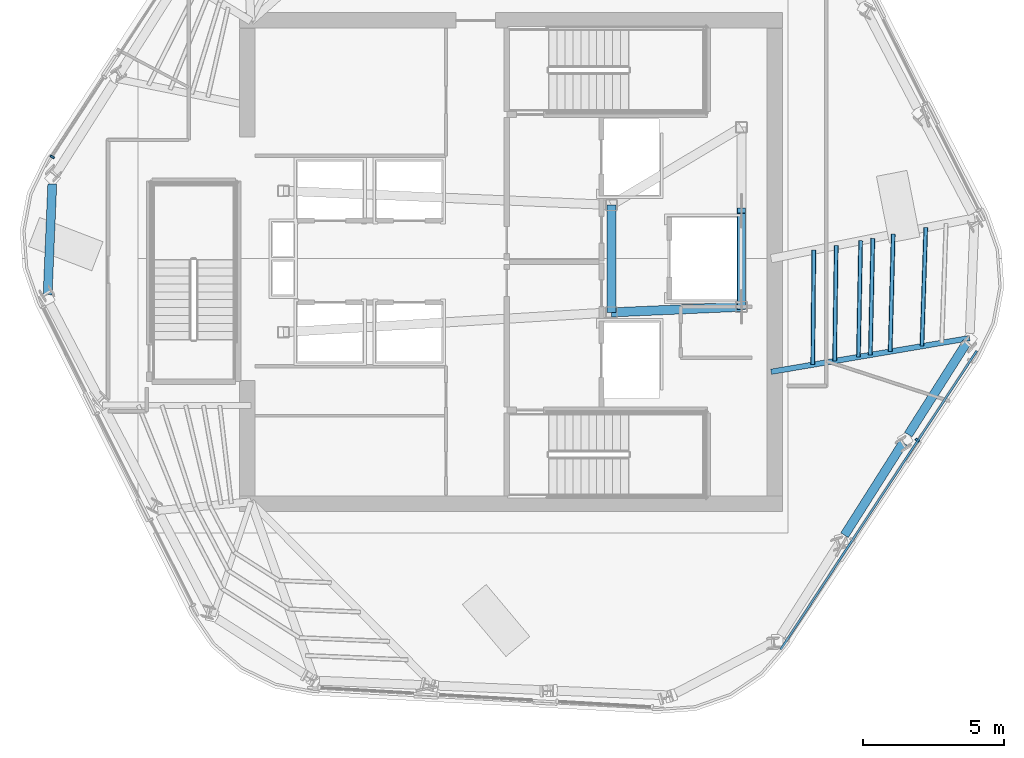
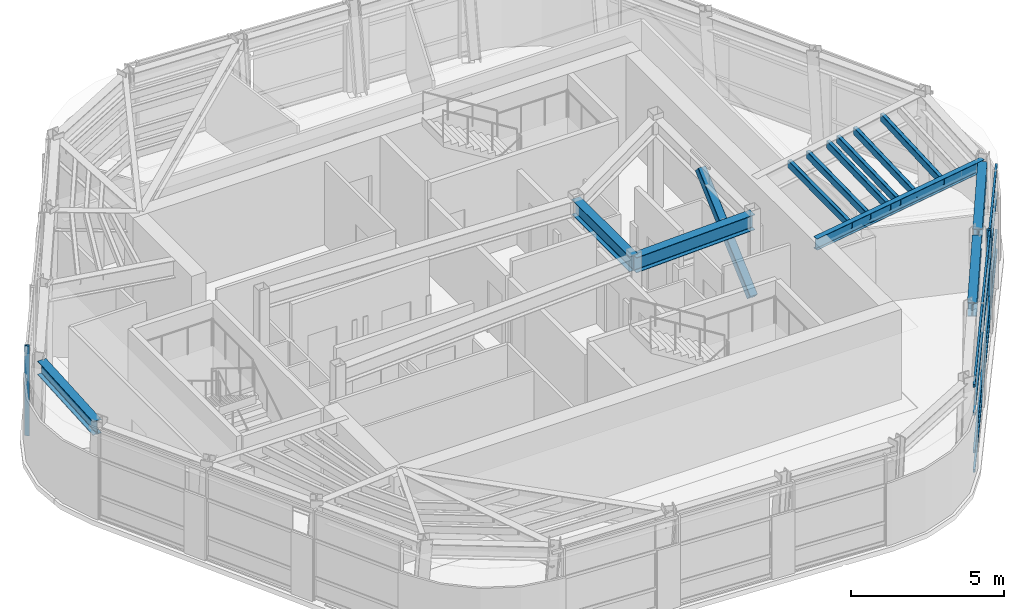
# One storey, part 3 of 13: 13 members, 6 beams, 2 elements without a shape of their own.
"""IFC4 building model written with IfcOpenShell, lengths in metres."""

from ifc_helpers import new_model, si_unit, direction, frame, origin, origin_2d, place, context, subcontext, project, spatial, rectangle, hollow_rectangle, i_section, extrude, material, layer, layer_set, material_profile, profile_set, type_object, element, aggregate, save


model = new_model("IFC4")

# Units and contexts
model_context = context("Model", 3, precision=1e-05, world=origin(), true_north=direction((0.0, 1.0)))
body_context = subcontext(model_context, "Body", "Model", "MODEL_VIEW")
ifc_project = project(units=[si_unit("LENGTHUNIT", "METRE"), si_unit("AREAUNIT", "SQUARE_METRE"), si_unit("VOLUMEUNIT", "CUBIC_METRE"), si_unit("PLANEANGLEUNIT", "RADIAN"), si_unit("MASSUNIT", "GRAM", prefix="KILO")], contexts=[model_context])

# Site, building, storey
site_placement = place(None, origin())
site = spatial("IfcSite", under=ifc_project, at=site_placement, CompositionType="ELEMENT")
building_placement = place(site_placement, origin())
building = spatial("IfcBuilding", under=site, at=building_placement, Name="Valkerne Bourse Tower", CompositionType="ELEMENT")
storey_placement = place(building_placement, frame((0.0, 0.0, 269.800048828125)))
storey = spatial("IfcBuildingStorey", under=building, at=storey_placement, Name="L68", CompositionType="ELEMENT", Elevation=269.800048828125)

# Beams
ifc_material_1 = material(Name="Steel ASTM A992", Category="steel")
ifc_material_profile_1 = material_profile(ifc_material_1, i_section(OverallWidth=0.1904296875, OverallDepth=0.457275390625, WebThickness=0.009033203125, FlangeThickness=0.014404296875, FilletRadius=0.01513671875, at=origin_2d()), Name="W18X50")
ifc_profile_set_1 = profile_set([ifc_material_profile_1], Name="Steel ASTM A992")
beam_type_1 = type_object("IfcBeamType", Name="BM-W18X50", PredefinedType="JOIST", material=ifc_profile_set_1)
beam_1_placement = place(storey_placement, frame((63.01806640625, 24.190673828125, 3.371337890625), z_axis=(-0.985911440091, -0.167268144901, 0.0), x_axis=(0.167268144901, -0.985911440091, 0.0)))
element("IfcBeam", 1, at=beam_1_placement, inside=storey, type_object=beam_type_1, Name="L68 Radial Composite Floor Beam 19", PredefinedType="JOIST", context=body_context, shape_type="SweptSolid", body=[
    extrude(i_section(OverallWidth=0.1904296875, OverallDepth=0.457275390625, WebThickness=0.009033203125, FlangeThickness=0.014404296875, FilletRadius=0.01513671875, at=origin_2d()), origin(), (0.0, 0.0, 1.0), 7.118408203125),
])
ifc_material_profile_2 = material_profile(ifc_material_1, i_section(OverallWidth=0.31494140625, OverallDepth=0.5537109375, WebThickness=0.0166015625, FlangeThickness=0.026123046875, FilletRadius=0.020263671875, at=origin_2d()), Name="W21X132")
ifc_profile_set_2 = profile_set([ifc_material_profile_2], Name="Steel ASTM A992")
beam_type_2 = type_object("IfcBeamType", Name="BM-W21X132", PredefinedType="BEAM", material=ifc_profile_set_2)
beam_2_placement = place(storey_placement, frame((30.57470703125, 29.639404296875, 3.322998046875), z_axis=(-0.041838022767, -0.999124406594, 0.0), x_axis=(0.999124406594, -0.041838022767, 0.0)))
element("IfcBeam", 2, at=beam_2_placement, inside=storey, type_object=beam_type_2, Name="L68 Hexagonal Spandrel Ring Beam 07", PredefinedType="BEAM", context=body_context, shape_type="SweptSolid", body=[
    extrude(i_section(OverallWidth=0.31494140625, OverallDepth=0.5537109375, WebThickness=0.0166015625, FlangeThickness=0.026123046875, FilletRadius=0.020263671875, at=origin_2d()), origin(), (0.0, 0.0, 1.0), 3.91552734375),
])
for number, where, z_axis, x_axis, name in (
    (3, (58.595458984375, 17.221435546875, 3.322998046875), (0.535818388825, 0.844333260151, 0.0), (-0.844333260151, 0.535818388825, 0.0), "L68 Hexagonal Spandrel Ring Beam 17"),
    (4, (60.852294921875, 20.77783203125, 3.322998046875), (0.535818388825, 0.844333260151, 0.0), (-0.844333260151, 0.535818388825, 0.0), "L68 Hexagonal Spandrel Ring Beam 18"),
):
    element("IfcBeam", number, at=place(storey_placement, frame(where, z_axis=z_axis, x_axis=x_axis)), inside=storey, type_object=beam_type_2, Name=name, PredefinedType="BEAM", context=body_context, shape_type="SweptSolid", body=[
        extrude(i_section(OverallWidth=0.31494140625, OverallDepth=0.5537109375, WebThickness=0.0166015625, FlangeThickness=0.026123046875, FilletRadius=0.020263671875, at=origin_2d()), origin(), (0.0, 0.0, 1.0), 3.8720703125),
    ])
ifc_material_profile_3 = material_profile(ifc_material_1, i_section(OverallWidth=0.3251953125, OverallDepth=0.612060546875, WebThickness=0.0126953125, FlangeThickness=0.01904296875, FilletRadius=0.020263671875, at=origin_2d()), Name="W24X104")
ifc_profile_set_3 = profile_set([ifc_material_profile_3], Name="Steel ASTM A992")
beam_type_3 = type_object("IfcBeamType", Name="BM-W24X104", PredefinedType="BEAM", material=ifc_profile_set_3)
beam_3_placement = place(storey_placement, frame((50.35009765625, 25.10009765625, 3.2939453125), z_axis=(0.0, 1.0, 0.0), x_axis=(-1.0, 0.0, 0.0)))
element("IfcBeam", 5, at=beam_3_placement, inside=storey, type_object=beam_type_3, Name="L68 Core Frame Girder CG-CE", PredefinedType="BEAM", context=body_context, shape_type="SweptSolid", body=[
    extrude(i_section(OverallWidth=0.3251953125, OverallDepth=0.612060546875, WebThickness=0.0126953125, FlangeThickness=0.01904296875, FilletRadius=0.020263671875, at=origin_2d()), origin(), (0.0, 0.0, 1.0), 3.7998046875),
])
beam_4_placement = place(storey_placement, frame((50.35009765625, 25.10009765625, 3.2939453125), z_axis=(0.999056558506, 0.043428019819, 0.0), x_axis=(-0.043428019819, 0.999056558506, 0.0)))
element("IfcBeam", 6, at=beam_4_placement, inside=storey, type_object=beam_type_3, Name="L68 Core Frame Girder CG-SE", PredefinedType="BEAM", context=body_context, shape_type="SweptSolid", body=[
    extrude(i_section(OverallWidth=0.3251953125, OverallDepth=0.612060546875, WebThickness=0.0126953125, FlangeThickness=0.01904296875, FilletRadius=0.020263671875, at=origin_2d()), origin(), (0.0, 0.0, 1.0), 4.604248046875),
])

# Curtain wall, member
ifc_material_2 = material(Name="Aluminium AA 6063-T6", Category="aluminium")
ifc_layer = layer(ifc_material_2, 0.2451171875)
ifc_layer_set = layer_set([ifc_layer], Name="Aluminium AA 6063-T6")
curtain_wall_type = type_object("IfcCurtainWallType", Name="CW-05", PredefinedType="NOTDEFINED", material=ifc_layer_set)
curtain_wall_1_placement = place(storey_placement, origin())
curtain_wall_1 = element("IfcCurtainWall", 7, at=curtain_wall_1_placement, inside=storey, type_object=curtain_wall_type, Name="L68 Hexagonal Stick Curtain Wall Face 2", PredefinedType="NOTDEFINED")
ifc_material_profile_4 = material_profile(ifc_material_2, rectangle(XDim=0.074951171875, YDim=0.159912109375, at=origin_2d()), Name="CWM-75X160")
ifc_profile_set_4 = profile_set([ifc_material_profile_4], Name="Aluminium AA 6063-T6")
member_type_1 = type_object("IfcMemberType", Name="CW-MUL-160X75", PredefinedType="MULLION", material=ifc_profile_set_4)
member_1_placement = place(storey_placement, frame((30.574462890625, 30.6015625, 0.0), z_axis=(0.0, 0.0, 1.0), x_axis=(-0.549011112876, -0.835815050079, 0.0)))
member_1 = element("IfcMember", 8, at=member_1_placement, type_object=member_type_1, Name="CW-L68-F2 Jamb Mullion 02B", PredefinedType="MULLION", context=body_context, shape_type="SweptSolid", body=[
    extrude(rectangle(XDim=0.074951171875, YDim=0.159912109375, at=origin_2d()), origin(), (0.0, 0.0, 1.0), 3.599853515625),
])
aggregate(curtain_wall_1, [member_1])

# Curtain wall, members
curtain_wall_2_placement = place(storey_placement, origin())
curtain_wall_2 = element("IfcCurtainWall", 9, at=curtain_wall_2_placement, inside=storey, type_object=curtain_wall_type, Name="L68 Hexagonal Stick Curtain Wall Face 5", PredefinedType="NOTDEFINED")
member_2_placement = place(storey_placement, frame((61.17431640625, 20.580078125, 0.0), z_axis=(0.0, 0.0, 1.0), x_axis=(0.549011112876, 0.835815050079, 0.0)))
member_2 = element("IfcMember", 10, at=member_2_placement, type_object=member_type_1, Name="CW-L68-F5 Jamb Mullion 02A", PredefinedType="MULLION", context=body_context, shape_type="SweptSolid", body=[
    extrude(rectangle(XDim=0.074951171875, YDim=0.159912109375, at=origin_2d()), origin(), (0.0, 0.0, 1.0), 3.599853515625),
])
ifc_material_profile_5 = material_profile(ifc_material_2, rectangle(XDim=0.074951171875, YDim=0.1201171875, at=origin_2d()), Name="CWT-75X120")
ifc_profile_set_5 = profile_set([ifc_material_profile_5], Name="Aluminium AA 6063-T6")
member_type_2 = type_object("IfcMemberType", Name="CW-TRN-120X75", PredefinedType="USERDEFINED", material=ifc_profile_set_5)
member_3_placement = place(storey_placement, frame((56.33544921875, 13.17724609375, 0.119873046875), z_axis=(0.549011321457, 0.835814913071, 0.0), x_axis=(-0.835814913071, 0.549011321457, 0.0)))
member_3 = element("IfcMember", 11, at=member_3_placement, type_object=member_type_2, Name="CW-L68-F5 Continuous Face Transom 1", ObjectType="TRANSOM", PredefinedType="USERDEFINED", context=body_context, shape_type="SweptSolid", body=[
    extrude(rectangle(XDim=0.074951171875, YDim=0.1201171875, at=origin_2d()), origin(), (0.0, 0.0, 1.0), 12.635986328125),
])
member_4_placement = place(storey_placement, frame((56.33544921875, 13.17724609375, 0.89990234375), z_axis=(0.549011321457, 0.835814913071, 0.0), x_axis=(-0.835814913071, 0.549011321457, 0.0)))
member_4 = element("IfcMember", 12, at=member_4_placement, type_object=member_type_2, Name="CW-L68-F5 Continuous Face Transom 2", ObjectType="TRANSOM", PredefinedType="USERDEFINED", context=body_context, shape_type="SweptSolid", body=[
    extrude(rectangle(XDim=0.074951171875, YDim=0.1201171875, at=origin_2d()), origin(), (0.0, 0.0, 1.0), 12.635986328125),
])
member_5_placement = place(storey_placement, frame((56.33544921875, 13.17724609375, 2.39990234375), z_axis=(0.549011321457, 0.835814913071, 0.0), x_axis=(-0.835814913071, 0.549011321457, 0.0)))
member_5 = element("IfcMember", 13, at=member_5_placement, type_object=member_type_2, Name="CW-L68-F5 Continuous Face Transom 3", ObjectType="TRANSOM", PredefinedType="USERDEFINED", context=body_context, shape_type="SweptSolid", body=[
    extrude(rectangle(XDim=0.074951171875, YDim=0.1201171875, at=origin_2d()), origin(), (0.0, 0.0, 1.0), 12.635986328125),
])
member_6_placement = place(storey_placement, frame((56.33544921875, 13.17724609375, 3.52001953125), z_axis=(0.549011321457, 0.835814913071, 0.0), x_axis=(-0.835814913071, 0.549011321457, 0.0)))
member_6 = element("IfcMember", 14, at=member_6_placement, type_object=member_type_2, Name="CW-L68-F5 Continuous Face Transom 4", ObjectType="TRANSOM", PredefinedType="USERDEFINED", context=body_context, shape_type="SweptSolid", body=[
    extrude(rectangle(XDim=0.074951171875, YDim=0.1201171875, at=origin_2d()), origin(), (0.0, 0.0, 1.0), 12.635986328125),
])
aggregate(curtain_wall_2, [member_3, member_4, member_5, member_6, member_2])

# Members
ifc_material_3 = material(Name="Steel ASTM A500 Grade C", Category="steel")
ifc_material_profile_6 = material_profile(ifc_material_3, hollow_rectangle(XDim=0.14990234375, YDim=0.300048828125, WallThickness=0.012451171875, OuterFilletRadius=0.02490234375, at=origin_2d()), Name="HSS300X150X12.5")
ifc_profile_set_6 = profile_set([ifc_material_profile_6], Name="Steel ASTM A500 Grade C")
member_type_3 = type_object("IfcMemberType", Name="MBR-HSS300X150X12.5", PredefinedType="PURLIN", material=ifc_profile_set_6)
member_7_placement = place(storey_placement, frame((58.245849609375, 23.381103515625, 3.43994140625), z_axis=(0.01393905488, 0.999902846655, 0.0), x_axis=(-0.999902846655, 0.01393905488, 0.0)))
element("IfcMember", 15, at=member_7_placement, inside=storey, type_object=member_type_3, Name="L68 Secondary Composite Floor Purlin I-19", PredefinedType="PURLIN", context=body_context, shape_type="SweptSolid", body=[
    extrude(hollow_rectangle(XDim=0.14990234375, YDim=0.300048828125, WallThickness=0.012451171875, OuterFilletRadius=0.02490234375, at=origin_2d()), origin(), (0.0, 0.0, 1.0), 4.0810546875),
])
member_8_placement = place(storey_placement, frame((59.087890625, 23.52392578125, 3.43994140625), z_axis=(0.019119915528, 0.999817197707, 0.0), x_axis=(-0.999817197707, 0.019119915528, 0.0)))
element("IfcMember", 16, at=member_8_placement, inside=storey, type_object=member_type_3, Name="L68 Secondary Composite Floor Purlin K-19", PredefinedType="PURLIN", context=body_context, shape_type="SweptSolid", body=[
    extrude(hollow_rectangle(XDim=0.14990234375, YDim=0.300048828125, WallThickness=0.012451171875, OuterFilletRadius=0.02490234375, at=origin_2d()), origin(), (0.0, 0.0, 1.0), 4.111572265625),
])
member_9_placement = place(storey_placement, frame((59.509033203125, 23.59521484375, 3.43994140625), z_axis=(0.021592597706, 0.999766852683, 0.0), x_axis=(-0.999766852683, 0.021592597706, 0.0)))
element("IfcMember", 17, at=member_9_placement, inside=storey, type_object=member_type_3, Name="L68 Secondary Composite Floor Purlin M-19", PredefinedType="PURLIN", context=body_context, shape_type="SweptSolid", body=[
    extrude(hollow_rectangle(XDim=0.14990234375, YDim=0.300048828125, WallThickness=0.012451171875, OuterFilletRadius=0.02490234375, at=origin_2d()), origin(), (0.0, 0.0, 1.0), 4.126953125),
])
member_10_placement = place(storey_placement, frame((61.333740234375, 23.90478515625, 3.43994140625), z_axis=(0.032310707095, 0.999477872795, 0.0), x_axis=(-0.999477872795, 0.032310707095, 0.0)))
element("IfcMember", 18, at=member_10_placement, inside=storey, type_object=member_type_3, Name="L68 Secondary Composite Floor Purlin O-19", PredefinedType="PURLIN", context=body_context, shape_type="SweptSolid", body=[
    extrude(hollow_rectangle(XDim=0.14990234375, YDim=0.300048828125, WallThickness=0.012451171875, OuterFilletRadius=0.02490234375, at=origin_2d()), origin(), (0.0, 0.0, 1.0), 4.193603515625),
])
member_11_placement = place(storey_placement, frame((60.2109375, 23.71435546875, 3.43994140625), z_axis=(0.025751617184, 0.999668372118, 0.0), x_axis=(-0.999668372118, 0.025751617184, 0.0)))
element("IfcMember", 19, at=member_11_placement, inside=storey, type_object=member_type_3, Name="L68 Secondary Composite Floor Purlin Z-19", PredefinedType="PURLIN", context=body_context, shape_type="SweptSolid", body=[
    extrude(hollow_rectangle(XDim=0.14990234375, YDim=0.300048828125, WallThickness=0.012451171875, OuterFilletRadius=0.02490234375, at=origin_2d()), origin(), (0.0, 0.0, 1.0), 4.152587890625),
])
member_12_placement = place(storey_placement, frame((57.473876953125, 23.25, 3.43994140625), z_axis=(0.009215920877, 0.999957532499, 0.0), x_axis=(-0.999957532499, 0.009215920877, 0.0)))
element("IfcMember", 20, at=member_12_placement, inside=storey, type_object=member_type_3, Name="L68 Secondary Composite Floor Purlin S-19", PredefinedType="PURLIN", context=body_context, shape_type="SweptSolid", body=[
    extrude(hollow_rectangle(XDim=0.14990234375, YDim=0.300048828125, WallThickness=0.012451171875, OuterFilletRadius=0.02490234375, at=origin_2d()), origin(), (0.0, 0.0, 1.0), 4.05322265625),
])
ifc_material_profile_7 = material_profile(ifc_material_3, hollow_rectangle(XDim=0.300048828125, YDim=0.300048828125, WallThickness=0.012451171875, OuterFilletRadius=0.02490234375, at=origin_2d()), Name="HSS300X300X12.5")
ifc_profile_set_7 = profile_set([ifc_material_profile_7], Name="Steel ASTM A500 Grade C")
member_type_4 = type_object("IfcMemberType", Name="MBR-HSS300X300X12.5", PredefinedType="STRUT", material=ifc_profile_set_7)
member_13_placement = place(storey_placement, frame((54.949951171875, 25.300048828125, 0.219970703125), z_axis=(0.0, 0.741766660352, 0.670658051163), x_axis=(-1.0, 0.0, 0.0)))
element("IfcMember", 21, at=member_13_placement, inside=storey, type_object=member_type_4, Name="L68 Core Service Pier Lateral Brace", PredefinedType="STRUT", context=body_context, shape_type="SweptSolid", body=[
    extrude(hollow_rectangle(XDim=0.300048828125, YDim=0.300048828125, WallThickness=0.012451171875, OuterFilletRadius=0.02490234375, at=origin_2d()), origin(), (0.0, 0.0, 1.0), 4.58349609375),
])

save(model, "model.ifc")
